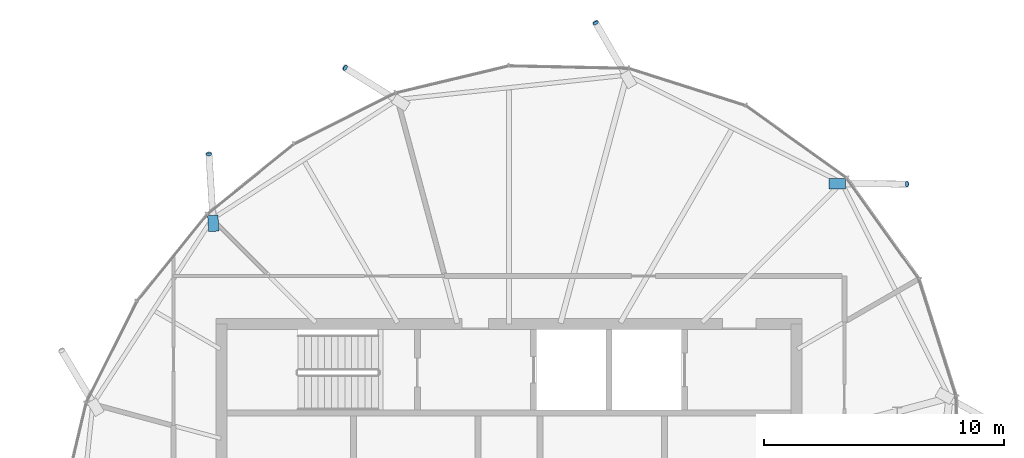
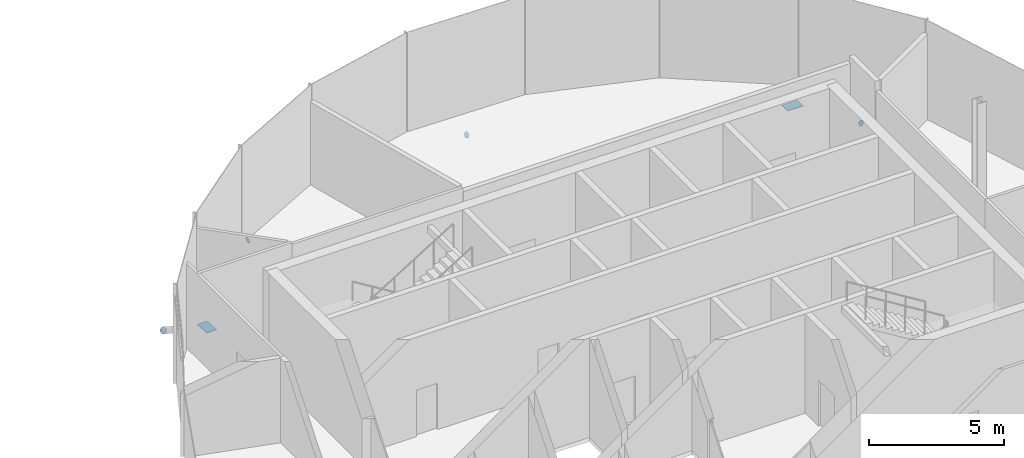
# One storey, part 29 of 31: 6 discrete accessories.
"""IFC4 building model written with IfcOpenShell, lengths in metres."""

import ifcopenshell
import ifcopenshell.guid

model = None  # the IFC model being written
_history = None  # IfcOwnerHistory: only IFC2X3 demands one
_inside = {}  # id of a spatial element -> (the spatial element, [elements in it])
_under = {}  # id of a project, library or spatial element -> (it, [spatial elements below it])
_declared = {}  # id of a project -> (the project, [libraries it declares])
_typed = {}  # id of a type object -> (the type object, [elements of that type])
_made_of = {}  # id of a material, layer set ... -> (it, [elements and type objects made of it])


def new_model(schema):
    """Start an empty IFC model of exactly this schema.

    Asked for "IFC4X3", IfcOpenShell would pick the latest addendum, in which some entities
    have other attributes; the version numbers below select the first issue.
    IFC2X3 requires an IfcOwnerHistory on every rooted entity: one is made here for all.
    """
    global model, _history
    if schema == "IFC4X3":
        model = ifcopenshell.file(schema_version=(4, 3, 0, 0))
    else:
        model = ifcopenshell.file(schema=schema)
    _inside.clear()
    _under.clear()
    _declared.clear()
    _typed.clear()
    _made_of.clear()
    _history = None
    if model.schema == "IFC2X3":
        org = make("IfcOrganization", Name="unknown")
        user = make(
            "IfcPersonAndOrganization",
            ThePerson=make("IfcPerson", FamilyName="unknown"),
            TheOrganization=org,
        )
        app = make(
            "IfcApplication",
            ApplicationDeveloper=org,
            Version="unknown",
            ApplicationFullName="unknown",
            ApplicationIdentifier="unknown",
        )
        _history = make(
            "IfcOwnerHistory",
            OwningUser=user,
            OwningApplication=app,
            ChangeAction="ADDED",
            CreationDate=0,
        )
    return model


def make(cls, **values):
    """One entity of the class cls with the attributes given. An attribute that is None is left unset."""
    return model.create_entity(
        cls, **{name: value for name, value in values.items() if value is not None}
    )


def rooted(cls, **values):
    """An entity with a GlobalId (a new one), such as an element, a storey or a relation."""
    return make(cls, GlobalId=ifcopenshell.guid.new(), OwnerHistory=_history, **values)


def si_unit(unit_type, name, prefix=None):
    """IfcSIUnit, for example si_unit("LENGTHUNIT", "METRE", prefix="MILLI")."""
    return make("IfcSIUnit", UnitType=unit_type, Prefix=prefix, Name=name)


def assignment(units):
    """IfcUnitAssignment: the units of a project."""
    return None if units is None else make("IfcUnitAssignment", Units=units)


def point(xyz):
    """IfcCartesianPoint."""
    return None if xyz is None else make("IfcCartesianPoint", Coordinates=xyz)


def direction(xyz):
    """IfcDirection."""
    return None if xyz is None else make("IfcDirection", DirectionRatios=xyz)


def frame(location, z_axis=None, x_axis=None):
    """IfcAxis2Placement3D, a coordinate frame: its origin and axes. An axis left out is left unset."""
    return make(
        "IfcAxis2Placement3D",
        Location=point(location),
        Axis=direction(z_axis),
        RefDirection=direction(x_axis),
    )


def frame_2d(location, x_axis=None):
    """IfcAxis2Placement2D, a coordinate frame in the plane: its origin and x axis."""
    return make(
        "IfcAxis2Placement2D", Location=point(location), RefDirection=direction(x_axis)
    )


def origin():
    """The frame at (0, 0, 0) with its axes left unset."""
    return frame((0.0, 0.0, 0.0))


def origin_2d():
    """The frame at (0, 0) in the plane with its x axis left unset."""
    return frame_2d((0.0, 0.0))


def place(relative_to, where):
    """IfcLocalPlacement: puts the frame where relative to a parent placement (None: the world)."""
    return make(
        "IfcLocalPlacement", PlacementRelTo=relative_to, RelativePlacement=where
    )


def context(
    kind, dimensions, precision=None, world=None, true_north=None, identifier=None
):
    """IfcGeometricRepresentationContext, for example the 3D "Model" context."""
    return make(
        "IfcGeometricRepresentationContext",
        ContextIdentifier=identifier,
        ContextType=kind,
        CoordinateSpaceDimension=dimensions,
        Precision=precision,
        WorldCoordinateSystem=world,
        TrueNorth=true_north,
    )


def subcontext(parent, identifier, kind, view, scale=None):
    """IfcGeometricRepresentationSubContext, for example "Body" below "Model"."""
    return make(
        "IfcGeometricRepresentationSubContext",
        ContextIdentifier=identifier,
        ContextType=kind,
        ParentContext=parent,
        TargetScale=scale,
        TargetView=view,
    )


def project(units=None, contexts=None):
    """IfcProject with its units and contexts."""
    return rooted(
        "IfcProject",
        Name="project",
        RepresentationContexts=contexts,
        UnitsInContext=assignment(units),
    )


def spatial(cls, under=None, at=None, **own):
    """A site, building, storey or space (cls), placed at a placement, below another one or the project."""
    s = rooted(cls, ObjectPlacement=at, **own)
    if under is not None:
        _under.setdefault(under.id(), (under, []))[1].append(s)
    return s


def polyline(points):
    """IfcPolyline through the points."""
    return make("IfcPolyline", Points=[point(p) for p in points])


def profile(cls, at=None, kind="AREA", **sizes):
    """A parametric profile (cls). Its sizes go by their IFC names, for example OverallWidth=200.0."""
    return make(cls, ProfileType=kind, Position=at, **sizes)


def rectangle(**sizes):
    """IfcRectangleProfileDef."""
    return profile("IfcRectangleProfileDef", **sizes)


def circle(**sizes):
    """IfcCircleProfileDef."""
    return profile("IfcCircleProfileDef", **sizes)


def outline(outer, holes=None, kind="AREA"):
    """IfcArbitraryClosedProfileDef: a profile drawn as a closed curve; with holes, ...WithVoids."""
    if holes is None:
        return make("IfcArbitraryClosedProfileDef", ProfileType=kind, OuterCurve=outer)
    return make(
        "IfcArbitraryProfileDefWithVoids",
        ProfileType=kind,
        OuterCurve=outer,
        InnerCurves=holes,
    )


def extrude(swept, where, along, depth):
    """IfcExtrudedAreaSolid: the profile swept, set in the frame where, extruded along a direction by depth."""
    return make(
        "IfcExtrudedAreaSolid",
        SweptArea=swept,
        Position=where,
        ExtrudedDirection=direction(along),
        Depth=depth,
    )


def shape(context_of_items, identifier, shape_type, items):
    """IfcShapeRepresentation: the items that make up one representation, for example the "Body"."""
    return make(
        "IfcShapeRepresentation",
        ContextOfItems=context_of_items,
        RepresentationIdentifier=identifier,
        RepresentationType=shape_type,
        Items=items,
    )


def material(Name=None, Category=None):
    """IfcMaterial."""
    return make("IfcMaterial", Name=Name, Category=Category)


def material_profile(
    of_material, cross_section, Name=None, Category=None, Priority=None
):
    """IfcMaterialProfile: a cross section and its material."""
    return make(
        "IfcMaterialProfile",
        Name=Name,
        Material=of_material,
        Profile=cross_section,
        Priority=Priority,
        Category=Category,
    )


def profile_set(profiles, Name=None, composite=None):
    """IfcMaterialProfileSet."""
    return make(
        "IfcMaterialProfileSet",
        Name=Name,
        MaterialProfiles=profiles,
        CompositeProfile=composite,
    )


def made_of(thing, what):
    """Note that an element or type object is made of a material, layer set ...; save() writes the relation."""
    if what is not None:
        _made_of.setdefault(what.id(), (what, []))[1].append(thing)
    return thing


def type_object(cls, material=None, **own):
    """A type object (cls), such as IfcWallType, which elements share."""
    return made_of(rooted(cls, **own), material)


def element(
    cls,
    number,
    at=None,
    inside=None,
    cuts=None,
    type_object=None,
    material=None,
    context=None,
    identifier="Body",
    shape_type=None,
    held_by="IfcProductDefinitionShape",
    body=None,
    shapes=None,
    **own,
):
    """One element of the class cls, such as IfcWall. Its Tag is "e" and its number.

    at: its placement. inside: the storey or other place that contains it. cuts: it is an
    opening in that element (IfcRelVoidsElement). A single representation is given by context,
    identifier, shape_type and body (its items); several are given by shapes. held_by: the class
    of the entity that holds the representations. save() writes the other relations.
    """
    e = rooted(cls, Tag="e%d" % number, ObjectPlacement=at, **own)
    if body is not None:
        shapes = [shape(context, identifier, shape_type, body)]
    if shapes is not None:
        e.Representation = make(held_by, Representations=shapes)
    if inside is not None:
        _inside.setdefault(inside.id(), (inside, []))[1].append(e)
    if cuts is not None:
        rooted(
            "IfcRelVoidsElement", RelatingBuildingElement=cuts, RelatedOpeningElement=e
        )
    if type_object is not None:
        _typed.setdefault(type_object.id(), (type_object, []))[1].append(e)
    return made_of(e, material)


def aggregate(whole, parts):
    """IfcRelAggregates: a whole, such as a stair, and the parts it consists of."""
    return rooted("IfcRelAggregates", RelatingObject=whole, RelatedObjects=parts)


def save(model, path):
    """Write the relations noted so far, then the file.

    IfcRelAggregates (storeys below a building ...), IfcRelContainedInSpatialStructure (elements
    in a storey), IfcRelDefinesByType, IfcRelAssociatesMaterial and IfcRelDeclares: one each for
    every whole, place, type object, material and project.
    """
    for whole, parts in _under.values():
        aggregate(whole, parts)
    for where, things in _inside.values():
        rooted(
            "IfcRelContainedInSpatialStructure",
            RelatedElements=things,
            RelatingStructure=where,
        )
    for kind, things in _typed.values():
        rooted("IfcRelDefinesByType", RelatedObjects=things, RelatingType=kind)
    for what, things in _made_of.values():
        rooted("IfcRelAssociatesMaterial", RelatedObjects=things, RelatingMaterial=what)
    for by, libraries in _declared.values():
        rooted("IfcRelDeclares", RelatingContext=by, RelatedDefinitions=libraries)
    model.write(path)


model = new_model("IFC4")

# Units and contexts
model_context = context("Model", 3, precision=1e-05, world=origin(), true_north=direction((0.0, 1.0)))
body_context = subcontext(model_context, "Body", "Model", "MODEL_VIEW")
ifc_project = project(units=[si_unit("LENGTHUNIT", "METRE"), si_unit("AREAUNIT", "SQUARE_METRE"), si_unit("VOLUMEUNIT", "CUBIC_METRE"), si_unit("PLANEANGLEUNIT", "RADIAN"), si_unit("MASSUNIT", "GRAM", prefix="KILO")], contexts=[model_context])

# Site, building, storey
site_placement = place(None, origin())
site = spatial("IfcSite", under=ifc_project, at=site_placement, CompositionType="ELEMENT")
building_placement = place(site_placement, origin())
building = spatial("IfcBuilding", under=site, at=building_placement, Name="Rimbun Link Towers", CompositionType="ELEMENT")
storey_placement = place(building_placement, frame((0.0, 0.0, 263.10009765625)))
storey = spatial("IfcBuildingStorey", under=building, at=storey_placement, Name="L64", CompositionType="ELEMENT", Elevation=263.10009765625)

# Discrete accessories
ifc_material_1 = material(Name="Steel S355J2H", Category="steel")
ifc_material_profile_1 = material_profile(ifc_material_1, circle(Radius=0.1240234375, at=origin_2d()), Name="PL D248")
ifc_profile_set_1 = profile_set([ifc_material_profile_1], Name="Steel S355J2H")
discrete_accessory_type_1 = type_object("IfcDiscreteAccessoryType", Name="Link foot sealing plate D248X20", PredefinedType="BRACKET", material=ifc_profile_set_1)
discrete_accessory_1_placement = place(storey_placement, frame((48.356689453125, 13.8369140625, -2.439453125), z_axis=(0.848688585215, 0.0, -0.528892886439), x_axis=(0.0, 1.0, 0.0)))
element("IfcDiscreteAccessory", 1, at=discrete_accessory_1_placement, inside=storey, type_object=discrete_accessory_type_1, Name="Link foot sealing plate T2 L64 00", PredefinedType="BRACKET", context=body_context, shape_type="SweptSolid", body=[
    extrude(circle(Radius=0.1240234375, at=origin_2d()), origin(), (0.0, 0.0, 1.0), 0.019775390625),
])
for number, where, z_axis, x_axis, name in (
    (2, (35.372314453125, 20.5595703125, -2.50634765625), (-0.42565974094, 0.72970241304, -0.535115102896), (-0.863778900898, -0.503871025524, 0.0), "Link foot sealing plate T2 L64 02"),
    (3, (24.920166015625, 18.68408203125, -2.467041015625), (-0.716217756717, 0.44915350845, -0.534128496535), (-0.531289037377, -0.847190627169, 0.0), "Link foot sealing plate T2 L64 04"),
):
    element("IfcDiscreteAccessory", number, at=place(storey_placement, frame(where, z_axis=z_axis, x_axis=x_axis)), inside=storey, type_object=discrete_accessory_type_1, Name=name, PredefinedType="BRACKET", context=body_context, shape_type="SweptSolid", body=[
        extrude(circle(Radius=0.1240234375, at=origin_2d()), origin(), (0.0, 0.0, 1.0), 0.02001953125),
    ])
discrete_accessory_2_placement = place(storey_placement, frame((19.229736328125, 15.07958984375, -2.381103515625), z_axis=(-0.048322713571, 0.845647487484, -0.531549849276), x_axis=(-0.998371334424, -0.057049790539, 0.0)))
element("IfcDiscreteAccessory", 4, at=discrete_accessory_2_placement, inside=storey, type_object=discrete_accessory_type_1, Name="Link foot sealing plate T2 L64 06", PredefinedType="BRACKET", context=body_context, shape_type="SweptSolid", body=[
    extrude(circle(Radius=0.1240234375, at=origin_2d()), origin(), (0.0, 0.0, 1.0), 0.020263671875),
])
ifc_material_2 = material(Name="Steel S355J2H", Category="steel")
ifc_material_profile_2 = material_profile(ifc_material_2, rectangle(XDim=0.43310546875, YDim=0.43310546875, at=origin_2d()), Name="PL 433x433")
ifc_profile_set_2 = profile_set([ifc_material_profile_2], Name="Steel S355J2H")
discrete_accessory_type_2 = type_object("IfcDiscreteAccessoryType", Name="Link head end plate 433X20", PredefinedType="BRACKET", material=ifc_profile_set_2)
discrete_accessory_3_placement = place(storey_placement, frame((0.0, 0.0, -0.653564453125)))
element("IfcDiscreteAccessory", 5, at=discrete_accessory_3_placement, inside=storey, type_object=discrete_accessory_type_2, Name="Link head end plate T2 L64 00", PredefinedType="BRACKET", context=body_context, shape_type="SweptSolid", body=[
    extrude(outline(polyline([(45.10498046875, 13.640625), (45.78662109375, 13.636474609375), (45.789306640625, 14.0693359375), (45.107666015625, 14.07373046875), (45.10498046875, 13.640625)])), origin(), (0.0, 0.0, 1.0), 0.02001953125),
])
discrete_accessory_4_placement = place(storey_placement, frame((0.0, 0.0, -0.55517578125)))
element("IfcDiscreteAccessory", 6, at=discrete_accessory_4_placement, inside=storey, type_object=discrete_accessory_type_2, Name="Link head end plate T2 L64 06", PredefinedType="BRACKET", context=body_context, shape_type="SweptSolid", body=[
    extrude(outline(polyline([(19.6484375, 11.876708984375), (19.606201171875, 12.5458984375), (19.174072265625, 12.518798828125), (19.21630859375, 11.849365234375), (19.6484375, 11.876708984375)])), origin(), (0.0, 0.0, 1.0), 0.02001953125),
])

save(model, "model.ifc")
